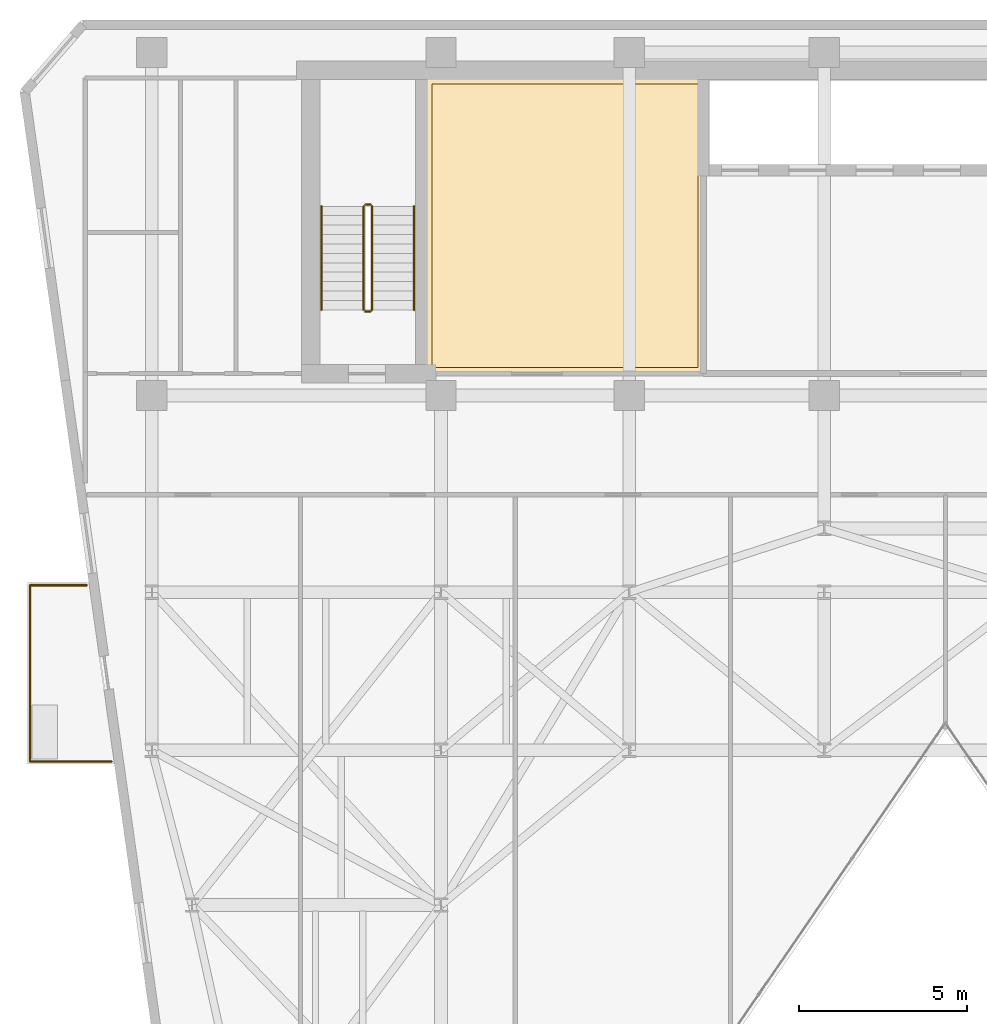
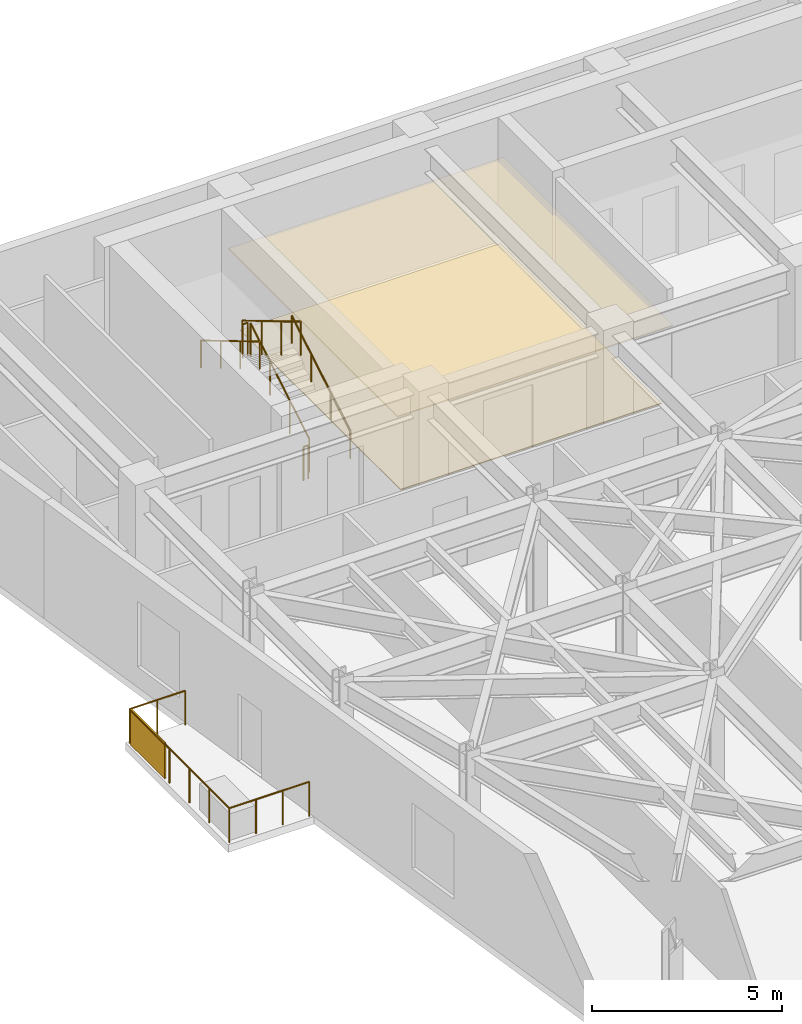
# One storey, part 19 of 21: 9 railings, 2 coverings, 1 shading device.
"""IFC4 building model written with IfcOpenShell, lengths in metres."""

from ifc_helpers import new_model, si_unit, direction, frame, origin, origin_2d, place, context, subcontext, project, spatial, polyline, rectangle, circle, outline, extrude, material, layer, layer_set, type_object, element, save


model = new_model("IFC4")

# Units and contexts
model_context = context("Model", 3, precision=1e-05, world=origin(), true_north=direction((0.0, 1.0)))
body_context = subcontext(model_context, "Body", "Model", "MODEL_VIEW")
ifc_project = project(units=[si_unit("LENGTHUNIT", "METRE"), si_unit("AREAUNIT", "SQUARE_METRE"), si_unit("VOLUMEUNIT", "CUBIC_METRE"), si_unit("PLANEANGLEUNIT", "RADIAN"), si_unit("MASSUNIT", "GRAM", prefix="KILO")], contexts=[model_context])

# Site, building, storey
site_placement = place(None, origin())
site = spatial("IfcSite", under=ifc_project, at=site_placement, CompositionType="ELEMENT")
building_placement = place(site_placement, origin())
building = spatial("IfcBuilding", under=site, at=building_placement, Name="Kravanh Interchange Tower", CompositionType="ELEMENT")
storey_placement = place(building_placement, frame((0.0, 0.0, 184.5)))
storey = spatial("IfcBuildingStorey", under=building, at=storey_placement, Name="L44", CompositionType="ELEMENT", Elevation=184.5)

# Coverings
ifc_material_1 = material(Name="Cementitious Terrazzo Tile")
ifc_layer_1 = layer(ifc_material_1, 0.030029296875)
ifc_layer_set_1 = layer_set([ifc_layer_1], Name="Honed Terrazzo Lobby Flooring 30mm")
covering_type_1 = type_object("IfcCoveringType", Name="Honed Terrazzo Lobby Flooring 30mm", PredefinedType="FLOORING", material=ifc_layer_set_1)
covering_1_placement = place(storey_placement, origin())
element("IfcCovering", 1, at=covering_1_placement, inside=storey, type_object=covering_type_1, Name="L44 Tenant Wellness and Prayer Suite Floor Finish", PredefinedType="FLOORING", context=body_context, shape_type="SweptSolid", body=[
    extrude(outline(polyline([(26.929931640625, 46.6201171875), (34.840087890625, 46.6201171875), (34.840087890625, 38.179931640625), (26.929931640625, 38.179931640625), (26.929931640625, 46.6201171875)])), origin(), (0.0, 0.0, 1.0), 0.030029296875),
])
ifc_material_2 = material(Name="Anodised Bronze Aluminium Acoustic Baffle", Category="aluminium")
ifc_layer_2 = layer(ifc_material_2, 0.034912109375)
ifc_layer_set_2 = layer_set([ifc_layer_2], Name="Linear Bronze Baffle Feature Ceiling 35mm")
covering_type_2 = type_object("IfcCoveringType", Name="Linear Bronze Baffle Feature Ceiling 35mm", PredefinedType="CEILING", material=ifc_layer_set_2)
covering_2_placement = place(storey_placement, frame((0.0, 0.0, 2.550048828125)))
element("IfcCovering", 2, at=covering_2_placement, inside=storey, type_object=covering_type_2, Name="L44 Tenant Wellness and Prayer Suite Suspended Ceiling", PredefinedType="CEILING", context=body_context, shape_type="SweptSolid", body=[
    extrude(outline(polyline([(35.06005859375, 37.9599609375), (26.7099609375, 37.9599609375), (26.7099609375, 46.840087890625), (35.06005859375, 46.840087890625), (35.06005859375, 37.9599609375)])), origin(), (0.0, 0.0, 1.0), 0.034912109375),
])

# Shading device
ifc_material_3 = material(Name="Perforated Anodised Bronze Aluminium", Category="aluminium")
ifc_layer_3 = layer(ifc_material_3, 0.0400390625)
ifc_layer_set_3 = layer_set([ifc_layer_3], Name="Perforated Bronze Balcony Privacy Screen 1150mm")
shading_device_type = type_object("IfcShadingDeviceType", Name="Perforated Bronze Balcony Privacy Screen 1150mm", PredefinedType="USERDEFINED", material=ifc_layer_set_3)
shading_device_placement = place(storey_placement, frame((14.97802734375, 30.739990234375, 0.0), z_axis=(0.0, 0.0, 1.0), x_axis=(1.0, 0.0, 0.0)))
element("IfcShadingDevice", 3, at=shading_device_placement, inside=storey, type_object=shading_device_type, Name="L44 W Perforated Bronze BALCONY SCREEN", ObjectType="SCREEN", PredefinedType="USERDEFINED", context=body_context, shape_type="SweptSolid", body=[
    extrude(rectangle(XDim=0.0400390625, YDim=1.800048828125, at=origin_2d()), origin(), (0.0, 0.0, 1.0), 1.14990234375),
])

# Railings
ifc_material_4 = material(Name="Stainless Steel 316", Category="steel")
ifc_layer_4 = layer(ifc_material_4, 0.06005859375)
ifc_layer_set_4 = layer_set([ifc_layer_4], Name="Perimeter Balcony and Terrace Guardrail Stainless 316 1120mm")
railing_type_1 = type_object("IfcRailingType", Name="Perimeter Balcony and Terrace Guardrail Stainless 316 1120mm", PredefinedType="GUARDRAIL", material=ifc_layer_set_4)
railing_1_placement = place(storey_placement, frame((14.97802734375, 26.469970703125, 0.0)))
element("IfcRailing", 4, at=railing_1_placement, inside=storey, type_object=railing_type_1, Name="L44 W Balcony Guardrail 1", PredefinedType="GUARDRAIL", context=body_context, shape_type="SweptSolid", body=[
    extrude(circle(Radius=0.02392578125, at=origin_2d()), frame((0.0, 0.0, 1.09619140625), z_axis=(0.0, 1.0, 0.0), x_axis=(-1.0, 0.0, 0.0)), (0.0, 0.0, 1.0), 5.239990234375),
    extrude(circle(Radius=0.02099609375, at=origin_2d()), origin(), (0.0, 0.0, 1.0), 1.072021484375),
    extrude(circle(Radius=0.02099609375, at=origin_2d()), frame((0.0, 1.048095703125, 0.0)), (0.0, 0.0, 1.0), 1.072021484375),
    extrude(circle(Radius=0.02099609375, at=origin_2d()), frame((0.0, 2.095947265625, 0.0)), (0.0, 0.0, 1.0), 1.072021484375),
    extrude(circle(Radius=0.02099609375, at=origin_2d()), frame((0.0, 3.14404296875, 0.0)), (0.0, 0.0, 1.0), 1.072021484375),
    extrude(circle(Radius=0.02099609375, at=origin_2d()), frame((0.0, 4.19189453125, 0.0)), (0.0, 0.0, 1.0), 1.072021484375),
    extrude(circle(Radius=0.02099609375, at=origin_2d()), frame((0.0, 5.239990234375, 0.0)), (0.0, 0.0, 1.0), 1.072021484375),
])
railing_2_placement = place(storey_placement, frame((14.97802734375, 31.7099609375, 0.0)))
element("IfcRailing", 5, at=railing_2_placement, inside=storey, type_object=railing_type_1, Name="L44 W Balcony Guardrail 2", PredefinedType="GUARDRAIL", context=body_context, shape_type="SweptSolid", body=[
    extrude(circle(Radius=0.02392578125, at=origin_2d()), frame((0.0, 0.0, 1.09619140625), z_axis=(1.0, 0.0, 0.0), x_axis=(0.0, 1.0, 0.0)), (0.0, 0.0, 1.0), 1.685791015625),
    extrude(circle(Radius=0.02099609375, at=origin_2d()), origin(), (0.0, 0.0, 1.0), 1.072021484375),
    extrude(circle(Radius=0.02099609375, at=origin_2d()), frame((0.8427734375, 0.0, 0.0)), (0.0, 0.0, 1.0), 1.072021484375),
    extrude(circle(Radius=0.02099609375, at=origin_2d()), frame((1.685791015625, 0.0, 0.0)), (0.0, 0.0, 1.0), 1.072021484375),
])
railing_3_placement = place(storey_placement, frame((17.400146484375, 26.469970703125, 0.0)))
element("IfcRailing", 6, at=railing_3_placement, inside=storey, type_object=railing_type_1, Name="L44 W Balcony Guardrail 3", PredefinedType="GUARDRAIL", context=body_context, shape_type="SweptSolid", body=[
    extrude(circle(Radius=0.02392578125, at=origin_2d()), frame((0.0, 0.0, 1.09619140625), z_axis=(-1.0, 0.0, 0.0), x_axis=(0.0, -1.0, 0.0)), (0.0, 0.0, 1.0), 2.422119140625),
    extrude(circle(Radius=0.02099609375, at=origin_2d()), origin(), (0.0, 0.0, 1.0), 1.072021484375),
    extrude(circle(Radius=0.02099609375, at=origin_2d()), frame((-0.807373046875, 0.0, 0.0)), (0.0, 0.0, 1.0), 1.072021484375),
    extrude(circle(Radius=0.02099609375, at=origin_2d()), frame((-1.61474609375, 0.0, 0.0)), (0.0, 0.0, 1.0), 1.072021484375),
    extrude(circle(Radius=0.02099609375, at=origin_2d()), frame((-2.422119140625, 0.0, 0.0)), (0.0, 0.0, 1.0), 1.072021484375),
])
ifc_material_5 = material(Name="Structural Steel S355", Category="steel")
ifc_layer_5 = layer(ifc_material_5, 0.050048828125)
ifc_layer_set_5 = layer_set([ifc_layer_5], Name="Stair Well Guardrail Structural Steel S355 1100mm")
railing_type_2 = type_object("IfcRailingType", Name="Stair Well Guardrail Structural Steel S355 1100mm", PredefinedType="GUARDRAIL", material=ifc_layer_set_5)
railing_4_placement = place(storey_placement, frame((25.14990234375, 39.89990234375, 0.166748046875)))
element("IfcRailing", 7, at=railing_4_placement, inside=storey, type_object=railing_type_2, Name="L44 ST3 stair guard 1", PredefinedType="GUARDRAIL", context=body_context, shape_type="SweptSolid", body=[
    extrude(circle(Radius=0.02392578125, at=origin_2d()), frame((0.0, 0.0, 1.076171875), z_axis=(0.0, 0.859308565015, 0.511457515432), x_axis=(-1.0, 0.0, 0.0)), (0.0, 0.0, 1.0), 3.58447265625),
    extrude(circle(Radius=0.02099609375, at=origin_2d()), origin(), (0.0, 0.0, 1.0), 1.052001953125),
    extrude(circle(Radius=0.02099609375, at=origin_2d()), frame((0.0, 1.026611328125, 0.611083984375)), (0.0, 0.0, 1.0), 1.052001953125),
    extrude(circle(Radius=0.02099609375, at=origin_2d()), frame((0.0, 2.053466796875, 1.22216796875)), (0.0, 0.0, 1.0), 1.052001953125),
    extrude(circle(Radius=0.02099609375, at=origin_2d()), frame((0.0, 3.080078125, 1.833251953125)), (0.0, 0.0, 1.0), 1.052001953125),
])
railing_5_placement = place(storey_placement, frame((25.10009765625, 43.030029296875, 2.0)))
element("IfcRailing", 8, at=railing_5_placement, inside=storey, type_object=railing_type_2, Name="L44 ST3 stair guard 2", PredefinedType="GUARDRAIL", context=body_context, shape_type="SweptSolid", body=[
    extrude(circle(Radius=0.02392578125, at=origin_2d()), frame((0.0, 0.0, 1.076171875), z_axis=(-1.0, 0.0, 0.0), x_axis=(0.0, -1.0, 0.0)), (0.0, 0.0, 1.0), 0.150146484375),
    extrude(circle(Radius=0.02099609375, at=origin_2d()), origin(), (0.0, 0.0, 1.0), 1.052001953125),
    extrude(circle(Radius=0.02099609375, at=origin_2d()), frame((-0.150146484375, 0.0, 0.0)), (0.0, 0.0, 1.0), 1.052001953125),
])
railing_6_placement = place(storey_placement, frame((24.89990234375, 42.97998046875, 2.166748046875)))
element("IfcRailing", 9, at=railing_6_placement, inside=storey, type_object=railing_type_2, Name="L44 ST3 stair guard 3", PredefinedType="GUARDRAIL", context=body_context, shape_type="SweptSolid", body=[
    extrude(circle(Radius=0.02392578125, at=origin_2d()), frame((0.0, 0.0, 1.076171875), z_axis=(0.0, -0.859308565015, 0.511457515432), x_axis=(1.0, 0.0, 0.0)), (0.0, 0.0, 1.0), 3.58447265625),
    extrude(circle(Radius=0.02099609375, at=origin_2d()), origin(), (0.0, 0.0, 1.0), 1.052001953125),
    extrude(circle(Radius=0.02099609375, at=origin_2d()), frame((0.0, -1.026611328125, 0.611083984375)), (0.0, 0.0, 1.0), 1.052001953125),
    extrude(circle(Radius=0.02099609375, at=origin_2d()), frame((0.0, -2.053466796875, 1.22216796875)), (0.0, 0.0, 1.0), 1.052001953125),
    extrude(circle(Radius=0.02099609375, at=origin_2d()), frame((0.0, -3.080078125, 1.833251953125)), (0.0, 0.0, 1.0), 1.052001953125),
])
railing_7_placement = place(storey_placement, frame((25.10009765625, 39.85009765625, 0.0)))
element("IfcRailing", 10, at=railing_7_placement, inside=storey, type_object=railing_type_2, Name="L44 ST3 stair guard 4", PredefinedType="GUARDRAIL", context=body_context, shape_type="SweptSolid", body=[
    extrude(circle(Radius=0.02392578125, at=origin_2d()), frame((0.0, 0.0, 1.076171875), z_axis=(-1.0, 0.0, 0.0), x_axis=(0.0, -1.0, 0.0)), (0.0, 0.0, 1.0), 0.150146484375),
    extrude(circle(Radius=0.02099609375, at=origin_2d()), origin(), (0.0, 0.0, 1.0), 1.052001953125),
    extrude(circle(Radius=0.02099609375, at=origin_2d()), frame((-0.150146484375, 0.0, 0.0)), (0.0, 0.0, 1.0), 1.052001953125),
])
ifc_material_6 = material(Name="Stainless Steel 304", Category="steel")
ifc_layer_6 = layer(ifc_material_6, 0.044921875)
ifc_layer_set_6 = layer_set([ifc_layer_6], Name="Tubular Stair Handrail Stainless 304 900mm")
railing_type_3 = type_object("IfcRailingType", Name="Tubular Stair Handrail Stainless 304 900mm", PredefinedType="HANDRAIL", material=ifc_layer_set_6)
railing_8_placement = place(storey_placement, frame((26.39990234375, 39.89990234375, 0.166748046875)))
element("IfcRailing", 11, at=railing_8_placement, inside=storey, type_object=railing_type_3, Name="L44 ST3 stair handrail 1", PredefinedType="HANDRAIL", context=body_context, shape_type="SweptSolid", body=[
    extrude(circle(Radius=0.02392578125, at=origin_2d()), frame((0.0, 0.0, 0.8759765625), z_axis=(0.0, 0.859308565015, 0.511457515432), x_axis=(-1.0, 0.0, 0.0)), (0.0, 0.0, 1.0), 3.58447265625),
    extrude(circle(Radius=0.02099609375, at=origin_2d()), origin(), (0.0, 0.0, 1.0), 0.851806640625),
    extrude(circle(Radius=0.02099609375, at=origin_2d()), frame((0.0, 1.026611328125, 0.611083984375)), (0.0, 0.0, 1.0), 0.851806640625),
    extrude(circle(Radius=0.02099609375, at=origin_2d()), frame((0.0, 2.053466796875, 1.22216796875)), (0.0, 0.0, 1.0), 0.851806640625),
    extrude(circle(Radius=0.02099609375, at=origin_2d()), frame((0.0, 3.080078125, 1.833251953125)), (0.0, 0.0, 1.0), 0.851806640625),
])
railing_9_placement = place(storey_placement, frame((23.64990234375, 42.97998046875, 2.166748046875)))
element("IfcRailing", 12, at=railing_9_placement, inside=storey, type_object=railing_type_3, Name="L44 ST3 stair handrail 2", PredefinedType="HANDRAIL", context=body_context, shape_type="SweptSolid", body=[
    extrude(circle(Radius=0.02392578125, at=origin_2d()), frame((0.0, 0.0, 0.8759765625), z_axis=(0.0, -0.859308565015, 0.511457515432), x_axis=(1.0, 0.0, 0.0)), (0.0, 0.0, 1.0), 3.58447265625),
    extrude(circle(Radius=0.02099609375, at=origin_2d()), origin(), (0.0, 0.0, 1.0), 0.851806640625),
    extrude(circle(Radius=0.02099609375, at=origin_2d()), frame((0.0, -1.026611328125, 0.611083984375)), (0.0, 0.0, 1.0), 0.851806640625),
    extrude(circle(Radius=0.02099609375, at=origin_2d()), frame((0.0, -2.053466796875, 1.22216796875)), (0.0, 0.0, 1.0), 0.851806640625),
    extrude(circle(Radius=0.02099609375, at=origin_2d()), frame((0.0, -3.080078125, 1.833251953125)), (0.0, 0.0, 1.0), 0.851806640625),
])

save(model, "model.ifc")
